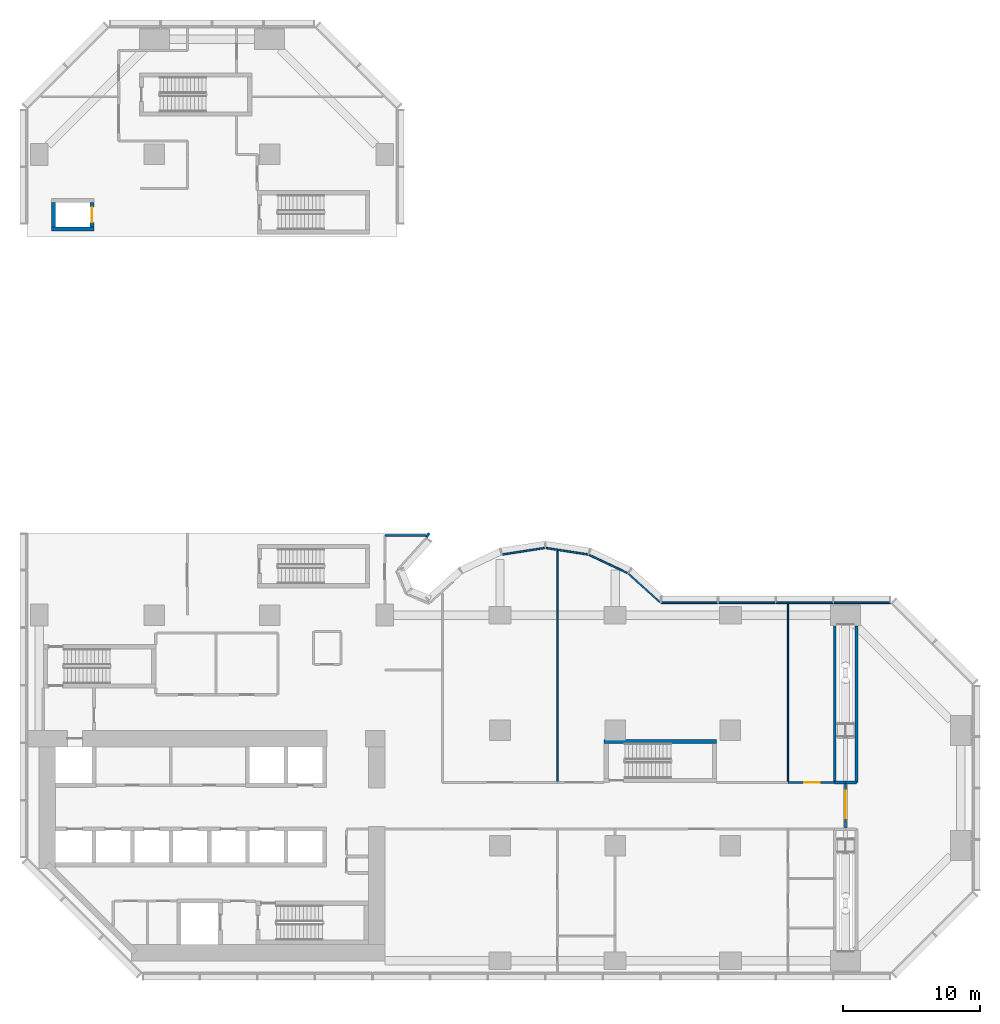
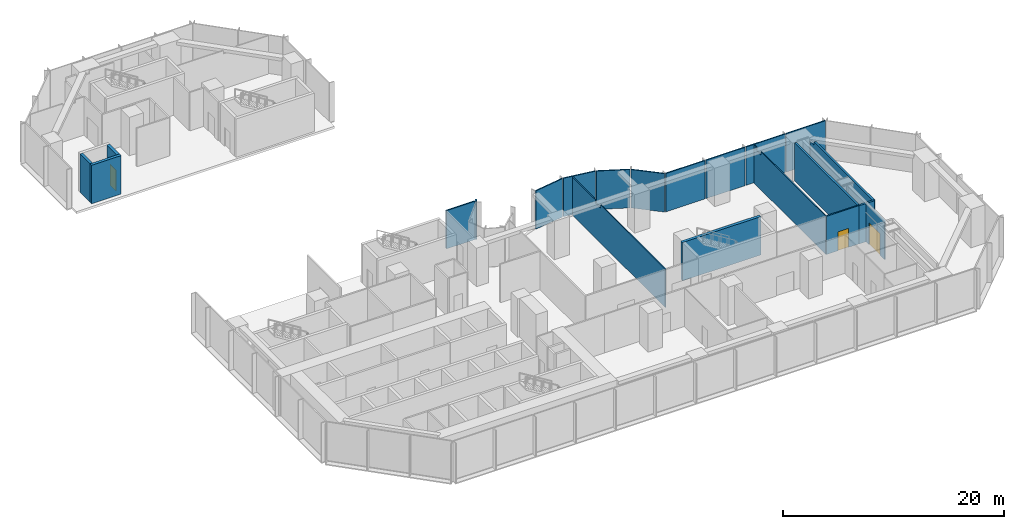
# One storey, part 12 of 18: 22 walls, 3 doors, 3 openings.
"""IFC4 building model written with IfcOpenShell, lengths in metres."""

import ifcopenshell
import ifcopenshell.guid

model = None  # the IFC model being written
_history = None  # IfcOwnerHistory: only IFC2X3 demands one
_inside = {}  # id of a spatial element -> (the spatial element, [elements in it])
_under = {}  # id of a project, library or spatial element -> (it, [spatial elements below it])
_declared = {}  # id of a project -> (the project, [libraries it declares])
_typed = {}  # id of a type object -> (the type object, [elements of that type])
_made_of = {}  # id of a material, layer set ... -> (it, [elements and type objects made of it])


def new_model(schema):
    """Start an empty IFC model of exactly this schema.

    Asked for "IFC4X3", IfcOpenShell would pick the latest addendum, in which some entities
    have other attributes; the version numbers below select the first issue.
    IFC2X3 requires an IfcOwnerHistory on every rooted entity: one is made here for all.
    """
    global model, _history
    if schema == "IFC4X3":
        model = ifcopenshell.file(schema_version=(4, 3, 0, 0))
    else:
        model = ifcopenshell.file(schema=schema)
    _inside.clear()
    _under.clear()
    _declared.clear()
    _typed.clear()
    _made_of.clear()
    _history = None
    if model.schema == "IFC2X3":
        org = make("IfcOrganization", Name="unknown")
        user = make(
            "IfcPersonAndOrganization",
            ThePerson=make("IfcPerson", FamilyName="unknown"),
            TheOrganization=org,
        )
        app = make(
            "IfcApplication",
            ApplicationDeveloper=org,
            Version="unknown",
            ApplicationFullName="unknown",
            ApplicationIdentifier="unknown",
        )
        _history = make(
            "IfcOwnerHistory",
            OwningUser=user,
            OwningApplication=app,
            ChangeAction="ADDED",
            CreationDate=0,
        )
    return model


def make(cls, **values):
    """One entity of the class cls with the attributes given. An attribute that is None is left unset."""
    return model.create_entity(
        cls, **{name: value for name, value in values.items() if value is not None}
    )


def rooted(cls, **values):
    """An entity with a GlobalId (a new one), such as an element, a storey or a relation."""
    return make(cls, GlobalId=ifcopenshell.guid.new(), OwnerHistory=_history, **values)


def si_unit(unit_type, name, prefix=None):
    """IfcSIUnit, for example si_unit("LENGTHUNIT", "METRE", prefix="MILLI")."""
    return make("IfcSIUnit", UnitType=unit_type, Prefix=prefix, Name=name)


def assignment(units):
    """IfcUnitAssignment: the units of a project."""
    return None if units is None else make("IfcUnitAssignment", Units=units)


def point(xyz):
    """IfcCartesianPoint."""
    return None if xyz is None else make("IfcCartesianPoint", Coordinates=xyz)


def direction(xyz):
    """IfcDirection."""
    return None if xyz is None else make("IfcDirection", DirectionRatios=xyz)


def frame(location, z_axis=None, x_axis=None):
    """IfcAxis2Placement3D, a coordinate frame: its origin and axes. An axis left out is left unset."""
    return make(
        "IfcAxis2Placement3D",
        Location=point(location),
        Axis=direction(z_axis),
        RefDirection=direction(x_axis),
    )


def frame_2d(location, x_axis=None):
    """IfcAxis2Placement2D, a coordinate frame in the plane: its origin and x axis."""
    return make(
        "IfcAxis2Placement2D", Location=point(location), RefDirection=direction(x_axis)
    )


def origin():
    """The frame at (0, 0, 0) with its axes left unset."""
    return frame((0.0, 0.0, 0.0))


def place(relative_to, where):
    """IfcLocalPlacement: puts the frame where relative to a parent placement (None: the world)."""
    return make(
        "IfcLocalPlacement", PlacementRelTo=relative_to, RelativePlacement=where
    )


def context(
    kind, dimensions, precision=None, world=None, true_north=None, identifier=None
):
    """IfcGeometricRepresentationContext, for example the 3D "Model" context."""
    return make(
        "IfcGeometricRepresentationContext",
        ContextIdentifier=identifier,
        ContextType=kind,
        CoordinateSpaceDimension=dimensions,
        Precision=precision,
        WorldCoordinateSystem=world,
        TrueNorth=true_north,
    )


def subcontext(parent, identifier, kind, view, scale=None):
    """IfcGeometricRepresentationSubContext, for example "Body" below "Model"."""
    return make(
        "IfcGeometricRepresentationSubContext",
        ContextIdentifier=identifier,
        ContextType=kind,
        ParentContext=parent,
        TargetScale=scale,
        TargetView=view,
    )


def project(units=None, contexts=None):
    """IfcProject with its units and contexts."""
    return rooted(
        "IfcProject",
        Name="project",
        RepresentationContexts=contexts,
        UnitsInContext=assignment(units),
    )


def spatial(cls, under=None, at=None, **own):
    """A site, building, storey or space (cls), placed at a placement, below another one or the project."""
    s = rooted(cls, ObjectPlacement=at, **own)
    if under is not None:
        _under.setdefault(under.id(), (under, []))[1].append(s)
    return s


def polyline(points):
    """IfcPolyline through the points."""
    return make("IfcPolyline", Points=[point(p) for p in points])


def profile(cls, at=None, kind="AREA", **sizes):
    """A parametric profile (cls). Its sizes go by their IFC names, for example OverallWidth=200.0."""
    return make(cls, ProfileType=kind, Position=at, **sizes)


def rectangle(**sizes):
    """IfcRectangleProfileDef."""
    return profile("IfcRectangleProfileDef", **sizes)


def outline(outer, holes=None, kind="AREA"):
    """IfcArbitraryClosedProfileDef: a profile drawn as a closed curve; with holes, ...WithVoids."""
    if holes is None:
        return make("IfcArbitraryClosedProfileDef", ProfileType=kind, OuterCurve=outer)
    return make(
        "IfcArbitraryProfileDefWithVoids",
        ProfileType=kind,
        OuterCurve=outer,
        InnerCurves=holes,
    )


def extrude(swept, where, along, depth):
    """IfcExtrudedAreaSolid: the profile swept, set in the frame where, extruded along a direction by depth."""
    return make(
        "IfcExtrudedAreaSolid",
        SweptArea=swept,
        Position=where,
        ExtrudedDirection=direction(along),
        Depth=depth,
    )


def shape(context_of_items, identifier, shape_type, items):
    """IfcShapeRepresentation: the items that make up one representation, for example the "Body"."""
    return make(
        "IfcShapeRepresentation",
        ContextOfItems=context_of_items,
        RepresentationIdentifier=identifier,
        RepresentationType=shape_type,
        Items=items,
    )


def material(Name=None, Category=None):
    """IfcMaterial."""
    return make("IfcMaterial", Name=Name, Category=Category)


def layer(
    of_material, thickness, ventilated=None, Name=None, Category=None, Priority=None
):
    """IfcMaterialLayer: one layer of a wall or slab, of a material (None: an air gap)."""
    return make(
        "IfcMaterialLayer",
        Material=of_material,
        LayerThickness=thickness,
        IsVentilated=ventilated,
        Name=Name,
        Category=Category,
        Priority=Priority,
    )


def layer_set(layers, Name=None):
    """IfcMaterialLayerSet."""
    return make("IfcMaterialLayerSet", MaterialLayers=layers, LayerSetName=Name)


def made_of(thing, what):
    """Note that an element or type object is made of a material, layer set ...; save() writes the relation."""
    if what is not None:
        _made_of.setdefault(what.id(), (what, []))[1].append(thing)
    return thing


def type_object(cls, material=None, **own):
    """A type object (cls), such as IfcWallType, which elements share."""
    return made_of(rooted(cls, **own), material)


def element(
    cls,
    number,
    at=None,
    inside=None,
    cuts=None,
    type_object=None,
    material=None,
    context=None,
    identifier="Body",
    shape_type=None,
    held_by="IfcProductDefinitionShape",
    body=None,
    shapes=None,
    **own,
):
    """One element of the class cls, such as IfcWall. Its Tag is "e" and its number.

    at: its placement. inside: the storey or other place that contains it. cuts: it is an
    opening in that element (IfcRelVoidsElement). A single representation is given by context,
    identifier, shape_type and body (its items); several are given by shapes. held_by: the class
    of the entity that holds the representations. save() writes the other relations.
    """
    e = rooted(cls, Tag="e%d" % number, ObjectPlacement=at, **own)
    if body is not None:
        shapes = [shape(context, identifier, shape_type, body)]
    if shapes is not None:
        e.Representation = make(held_by, Representations=shapes)
    if inside is not None:
        _inside.setdefault(inside.id(), (inside, []))[1].append(e)
    if cuts is not None:
        rooted(
            "IfcRelVoidsElement", RelatingBuildingElement=cuts, RelatedOpeningElement=e
        )
    if type_object is not None:
        _typed.setdefault(type_object.id(), (type_object, []))[1].append(e)
    return made_of(e, material)


def fill(opening, filler):
    """IfcRelFillsElement: the door or window that sits in an opening."""
    return rooted(
        "IfcRelFillsElement",
        RelatingOpeningElement=opening,
        RelatedBuildingElement=filler,
    )


def aggregate(whole, parts):
    """IfcRelAggregates: a whole, such as a stair, and the parts it consists of."""
    return rooted("IfcRelAggregates", RelatingObject=whole, RelatedObjects=parts)


def save(model, path):
    """Write the relations noted so far, then the file.

    IfcRelAggregates (storeys below a building ...), IfcRelContainedInSpatialStructure (elements
    in a storey), IfcRelDefinesByType, IfcRelAssociatesMaterial and IfcRelDeclares: one each for
    every whole, place, type object, material and project.
    """
    for whole, parts in _under.values():
        aggregate(whole, parts)
    for where, things in _inside.values():
        rooted(
            "IfcRelContainedInSpatialStructure",
            RelatedElements=things,
            RelatingStructure=where,
        )
    for kind, things in _typed.values():
        rooted("IfcRelDefinesByType", RelatedObjects=things, RelatingType=kind)
    for what, things in _made_of.values():
        rooted("IfcRelAssociatesMaterial", RelatedObjects=things, RelatingMaterial=what)
    for by, libraries in _declared.values():
        rooted("IfcRelDeclares", RelatingContext=by, RelatedDefinitions=libraries)
    model.write(path)


model = new_model("IFC4")

# Units and contexts
model_context = context("Model", 3, precision=1e-05, world=origin(), true_north=direction((0.0, 1.0)))
body_context = subcontext(model_context, "Body", "Model", "MODEL_VIEW")
ifc_project = project(units=[si_unit("LENGTHUNIT", "METRE"), si_unit("AREAUNIT", "SQUARE_METRE"), si_unit("VOLUMEUNIT", "CUBIC_METRE"), si_unit("PLANEANGLEUNIT", "RADIAN"), si_unit("MASSUNIT", "GRAM", prefix="KILO")], contexts=[model_context])

# Site, building, storey
site_placement = place(None, origin())
site = spatial("IfcSite", under=ifc_project, at=site_placement, CompositionType="ELEMENT")
building_placement = place(site_placement, origin())
building = spatial("IfcBuilding", under=site, at=building_placement, Name="Brevane Broadcast Tower", CompositionType="ELEMENT")
storey_placement = place(building_placement, frame((0.0, 0.0, 27.5)))
storey = spatial("IfcBuildingStorey", under=building, at=storey_placement, Name="L04", CompositionType="ELEMENT", Elevation=27.5)

# Walls
ifc_material_1 = material(Name="Concrete C80/95", Category="concrete")
ifc_layer_1 = layer(ifc_material_1, 0.300048828125)
ifc_layer_set_1 = layer_set([ifc_layer_1], Name="Core wall 300 mm C80/95")
wall_type_1 = type_object("IfcWallType", Name="Core wall 300 mm C80/95", PredefinedType="SHEAR", material=ifc_layer_set_1)
wall_1_placement = place(storey_placement, frame((0.89990234375, 53.35009765625, 0.0), z_axis=(0.0, 0.0, 1.0), x_axis=(1.0, 0.0, 0.0)))
element("IfcWall", 1, at=wall_1_placement, inside=storey, type_object=wall_type_1, Name="L04 shaft wall PL1-S", PredefinedType="SHEAR", context=body_context, shape_type="SweptSolid", body=[
    extrude(rectangle(XDim=3.10009765625, YDim=0.300048828125, at=frame_2d((1.550048828125, 0.0))), origin(), (0.0, 0.0, 1.0), 4.25),
])
wall_2_placement = place(storey_placement, frame((1.050048828125, 53.5, 0.0), z_axis=(0.0, 0.0, 1.0), x_axis=(0.0, 1.0, 0.0)))
element("IfcWall", 2, at=wall_2_placement, inside=storey, type_object=wall_type_1, Name="L04 shaft wall PL1-W", PredefinedType="SHEAR", context=body_context, shape_type="SweptSolid", body=[
    extrude(rectangle(XDim=1.800048828125, YDim=0.300048828125, at=frame_2d((0.89990234375, 0.0))), origin(), (0.0, 0.0, 1.0), 4.25),
])

# Wall, opening, door
wall_3_placement = place(storey_placement, frame((3.85009765625, 53.5, 0.0), z_axis=(0.0, 0.0, 1.0), x_axis=(0.0, 1.0, 0.0)))
wall_3 = element("IfcWall", 3, at=wall_3_placement, inside=storey, type_object=wall_type_1, Name="L04 shaft wall PL1-E", PredefinedType="SHEAR", context=body_context, shape_type="SweptSolid", body=[
    extrude(rectangle(XDim=1.800048828125, YDim=0.300048828125, at=frame_2d((0.89990234375, 0.0))), origin(), (0.0, 0.0, 1.0), 4.25),
])
opening_1_placement = place(wall_3_placement, frame((0.35009765625, 0.0, 0.0)))
opening_1 = element("IfcOpeningElement", 4, at=opening_1_placement, cuts=wall_3, Name="Opening LD", PredefinedType="OPENING", context=body_context, shape_type="SweptSolid", body=[
    extrude(rectangle(XDim=1.10009765625, YDim=2.300048828125, at=frame_2d((0.550048828125, 1.14990234375))), frame((0.0, 0.159912109375, 0.0), z_axis=(0.0, -1.0, 0.0), x_axis=(1.0, 0.0, 0.0)), (0.0, 0.0, 1.0), 0.320068359375),
])
ifc_material_2 = material(Name="Stainless steel", Category="steel")
door_type_1 = type_object("IfcDoorType", Name="Lift landing door", OperationType="SLIDING_TO_LEFT", PredefinedType="DOOR", material=ifc_material_2)
door_1_placement = place(opening_1_placement, origin())
door_1 = element("IfcDoor", 5, at=door_1_placement, inside=storey, type_object=door_type_1, Name="Landing door PL1 L04", OperationType="SLIDING_TO_LEFT", OverallHeight=2.300048828125, OverallWidth=1.10009765625, PredefinedType="DOOR", context=body_context, shape_type="SweptSolid", body=[
    extrude(rectangle(XDim=1.10009765625, YDim=2.300048828125, at=frame_2d((0.550048828125, 1.14990234375))), frame((0.0, 0.02490234375, 0.0), z_axis=(0.0, -1.0, 0.0), x_axis=(1.0, 0.0, 0.0)), (0.0, 0.0, 1.0), 0.050048828125),
])
fill(opening_1, door_1)

# Walls
wall_4_placement = place(storey_placement, frame((41.199951171875, 16.0, 0.0), z_axis=(0.0, 0.0, 1.0), x_axis=(1.0, 0.0, 0.0)))
element("IfcWall", 6, at=wall_4_placement, inside=storey, type_object=wall_type_1, Name="L04 stair wall ST-4-N", PredefinedType="SHEAR", context=body_context, shape_type="SweptSolid", body=[
    extrude(rectangle(XDim=8.199951171875, YDim=0.300048828125, at=frame_2d((4.10009765625, 0.0))), origin(), (0.0, 0.0, 1.0), 4.25),
])
ifc_material_3 = material(Name="Gypsum board partition")
ifc_layer_2 = layer(ifc_material_3, 0.10009765625)
ifc_layer_set_2 = layer_set([ifc_layer_2], Name="PARTITION 100 STUD")
wall_type_2 = type_object("IfcWallType", Name="PARTITION 100 STUD", PredefinedType="PARTITIONING", material=ifc_layer_set_2)
wall_5_placement = place(storey_placement, frame((37.800048828125, 29.85693359375, 0.0), z_axis=(0.0, 0.0, 1.0), x_axis=(0.0, -1.0, 0.0)))
element("IfcWall", 7, at=wall_5_placement, inside=storey, type_object=wall_type_2, Name="Partition P4-038", PredefinedType="PARTITIONING", context=body_context, shape_type="SweptSolid", body=[
    extrude(outline(polyline([(0.0, 0.0), (16.85693359375, 0.0), (16.85693359375, 4.22998046875), (5.10693359375, 4.22998046875), (5.10498046875, 3.8798828125), (4.208984375, 3.8798828125), (4.20703125, 4.22998046875), (0.0, 4.22998046875), (0.0, 0.0)])), frame((0.0, 0.050048828125, 0.0), z_axis=(0.0, -1.0, 0.0), x_axis=(1.0, 0.0, 0.0)), (0.0, 0.0, 1.0), 0.10009765625),
])
wall_6_placement = place(storey_placement, frame((54.60009765625, 25.998046875, 0.0), z_axis=(0.0, 0.0, 1.0), x_axis=(0.0, -1.0, 0.0)))
element("IfcWall", 8, at=wall_6_placement, inside=storey, type_object=wall_type_2, Name="Partition P4-039", PredefinedType="PARTITIONING", context=body_context, shape_type="SweptSolid", body=[
    extrude(outline(polyline([(0.0, 0.0), (12.998046875, 0.0), (12.998046875, 4.22998046875), (1.248046875, 4.22998046875), (1.24609375, 3.8798828125), (0.35009765625, 3.8798828125), (0.347900390625, 4.22998046875), (0.0, 4.22998046875), (0.0, 0.0)])), frame((0.0, 0.050048828125, 0.0), z_axis=(0.0, -1.0, 0.0), x_axis=(1.0, 0.0, 0.0)), (0.0, 0.0, 1.0), 0.10009765625),
])
ifc_layer_3 = layer(ifc_material_3, 0.14990234375)
ifc_layer_set_3 = layer_set([ifc_layer_3], Name="PARTITION 150 EI 60")
wall_type_3 = type_object("IfcWallType", Name="PARTITION 150 EI 60", PredefinedType="PARTITIONING", material=ifc_layer_set_3)
wall_7_placement = place(storey_placement, frame((25.199951171875, 31.0, 0.0), z_axis=(0.0, 0.0, 1.0), x_axis=(1.0, 0.0, 0.0)))
element("IfcWall", 9, at=wall_7_placement, inside=storey, type_object=wall_type_3, Name="Partition P4-016", PredefinedType="PARTITIONING", context=body_context, shape_type="SweptSolid", body=[
    extrude(rectangle(XDim=2.994140625, YDim=0.14990234375, at=frame_2d((1.4970703125, 0.0))), origin(), (0.0, 0.0, 1.0), 4.22998046875),
])
wall_8_placement = place(storey_placement, frame((28.432373046875, 31.168212890625, 0.0), z_axis=(0.0, 0.0, 1.0), x_axis=(-0.541288698077, -0.840836812547, 0.0)))
element("IfcWall", 10, at=wall_8_placement, inside=storey, type_object=wall_type_3, Name="Partition P4-017", PredefinedType="PARTITIONING", context=body_context, shape_type="SweptSolid", body=[
    extrude(rectangle(XDim=0.3251953125, YDim=0.14990234375, at=frame_2d((0.16259765625, 0.0))), origin(), (0.0, 0.0, 1.0), 4.22998046875),
])

# Wall, opening, door
wall_9_placement = place(storey_placement, frame((58.800048828125, 13.0, 0.0), z_axis=(0.0, 0.0, 1.0), x_axis=(0.0, -1.0, 0.0)))
wall_9 = element("IfcWall", 11, at=wall_9_placement, inside=storey, type_object=wall_type_3, Name="Partition P4-018", PredefinedType="PARTITIONING", context=body_context, shape_type="SweptSolid", body=[
    extrude(rectangle(XDim=3.39990234375, YDim=0.14990234375, at=frame_2d((1.699951171875, 0.0))), origin(), (0.0, 0.0, 1.0), 4.22998046875),
])
opening_2_placement = place(wall_9_placement, frame((0.60009765625, 0.0, 0.0)))
opening_2 = element("IfcOpeningElement", 12, at=opening_2_placement, cuts=wall_9, Name="Opening D05-002", PredefinedType="OPENING", context=body_context, shape_type="SweptSolid", body=[
    extrude(rectangle(XDim=2.0, YDim=2.39990234375, at=frame_2d((1.0, 1.199951171875))), frame((0.0, 0.0849609375, 0.0), z_axis=(0.0, -1.0, 0.0), x_axis=(1.0, 0.0, 0.0)), (0.0, 0.0, 1.0), 0.169921875),
])
ifc_material_4 = material(Name="Fire-rated timber door leaf", Category="wood")
door_type_2 = type_object("IfcDoorType", Name="DOOR DOUBLE 2000 FD30S", OperationType="DOUBLE_DOOR_SINGLE_SWING", PredefinedType="DOOR", material=ifc_material_4)
door_2_placement = place(opening_2_placement, origin())
door_2 = element("IfcDoor", 13, at=door_2_placement, inside=storey, type_object=door_type_2, Name="Door D05-002", OperationType="DOUBLE_DOOR_SINGLE_SWING", OverallHeight=2.39990234375, OverallWidth=2.0, PredefinedType="DOOR", context=body_context, shape_type="SweptSolid", body=[
    extrude(rectangle(XDim=2.0, YDim=2.39990234375, at=frame_2d((1.0, 1.199951171875))), frame((0.0, 0.02490234375, 0.0), z_axis=(0.0, -1.0, 0.0), x_axis=(1.0, 0.0, 0.0)), (0.0, 0.0, 1.0), 0.050048828125),
])
fill(opening_2, door_2)

wall_10_placement = place(storey_placement, frame((54.60009765625, 13.0, 0.0), z_axis=(0.0, 0.0, 1.0), x_axis=(1.0, 0.0, 0.0)))
wall_10 = element("IfcWall", 14, at=wall_10_placement, inside=storey, type_object=wall_type_3, Name="Partition P4-026", PredefinedType="PARTITIONING", context=body_context, shape_type="SweptSolid", body=[
    extrude(rectangle(XDim=3.39990234375, YDim=0.14990234375, at=frame_2d((1.699951171875, 0.0))), origin(), (0.0, 0.0, 1.0), 4.22998046875),
])
opening_3_placement = place(wall_10_placement, frame((1.199951171875, 0.0, 0.0)))
opening_3 = element("IfcOpeningElement", 15, at=opening_3_placement, cuts=wall_10, Name="Opening D05-012", PredefinedType="OPENING", context=body_context, shape_type="SweptSolid", body=[
    extrude(rectangle(XDim=1.10009765625, YDim=2.10009765625, at=frame_2d((0.550048828125, 1.050048828125))), frame((0.0, 0.0849609375, 0.0), z_axis=(0.0, -1.0, 0.0), x_axis=(1.0, 0.0, 0.0)), (0.0, 0.0, 1.0), 0.169921875),
])
door_type_3 = type_object("IfcDoorType", Name="DOOR SINGLE 1100 FD30S", OperationType="SINGLE_SWING_LEFT", PredefinedType="DOOR", material=ifc_material_4)
door_3_placement = place(opening_3_placement, origin())
door_3 = element("IfcDoor", 16, at=door_3_placement, inside=storey, type_object=door_type_3, Name="Door D05-012", OperationType="SINGLE_SWING_LEFT", OverallHeight=2.10009765625, OverallWidth=1.10009765625, PredefinedType="DOOR", context=body_context, shape_type="SweptSolid", body=[
    extrude(rectangle(XDim=1.10009765625, YDim=2.10009765625, at=frame_2d((0.550048828125, 1.050048828125))), frame((0.0, 0.02490234375, 0.0), z_axis=(0.0, -1.0, 0.0), x_axis=(1.0, 0.0, 0.0)), (0.0, 0.0, 1.0), 0.050048828125),
])
fill(opening_3, door_3)

# Walls
ifc_layer_4 = layer(ifc_material_3, 0.199951171875)
ifc_layer_set_4 = layer_set([ifc_layer_4], Name="PARTITION 200 EI 120")
wall_type_4 = type_object("IfcWallType", Name="PARTITION 200 EI 120", PredefinedType="PARTITIONING", material=ifc_layer_set_4)
wall_11_placement = place(storey_placement, frame((58.800048828125, 13.0, 0.0), z_axis=(0.0, 0.0, 1.0), x_axis=(-1.0, 0.0, 0.0)))
element("IfcWall", 17, at=wall_11_placement, inside=storey, type_object=wall_type_4, Name="Partition P4-007", PredefinedType="PARTITIONING", context=body_context, shape_type="SweptSolid", body=[
    extrude(rectangle(XDim=0.800048828125, YDim=0.199951171875, at=frame_2d((0.39990234375, 0.0))), origin(), (0.0, 0.0, 1.0), 4.22998046875),
])
wall_12_placement = place(storey_placement, frame((59.60009765625, 24.429931640625, 0.0), z_axis=(0.0, 0.0, 1.0), x_axis=(0.0, -1.0, 0.0)))
element("IfcWall", 18, at=wall_12_placement, inside=storey, type_object=wall_type_4, Name="Partition P4-008", PredefinedType="PARTITIONING", context=body_context, shape_type="SweptSolid", body=[
    extrude(outline(polyline([(0.0, 0.0), (11.429931640625, 0.0), (11.429931640625, 4.22998046875), (0.74560546875, 4.22998046875), (0.74365234375, 3.8798828125), (0.0, 3.8798828125), (0.0, 0.0)])), frame((0.0, 0.10009765625, 0.0), z_axis=(0.0, -1.0, 0.0), x_axis=(1.0, 0.0, 0.0)), (0.0, 0.0, 1.0), 0.199951171875),
])
wall_13_placement = place(storey_placement, frame((59.60009765625, 13.0, 0.0), z_axis=(0.0, 0.0, 1.0), x_axis=(-1.0, 0.0, 0.0)))
element("IfcWall", 19, at=wall_13_placement, inside=storey, type_object=wall_type_4, Name="Partition P4-009", PredefinedType="PARTITIONING", context=body_context, shape_type="SweptSolid", body=[
    extrude(rectangle(XDim=0.800048828125, YDim=0.199951171875, at=frame_2d((0.39990234375, 0.0))), origin(), (0.0, 0.0, 1.0), 4.22998046875),
])
wall_14_placement = place(storey_placement, frame((58.0, 13.0, 0.0), z_axis=(0.0, 0.0, 1.0), x_axis=(0.0, 1.0, 0.0)))
element("IfcWall", 20, at=wall_14_placement, inside=storey, type_object=wall_type_4, Name="Partition P4-010", PredefinedType="PARTITIONING", context=body_context, shape_type="SweptSolid", body=[
    extrude(rectangle(XDim=11.429931640625, YDim=0.199951171875, at=frame_2d((5.71484375, 0.0))), origin(), (0.0, 0.0, 1.0), 4.22998046875),
])
ifc_material_5 = material(Name="Precast concrete C40/50", Category="concrete")
ifc_layer_5 = layer(ifc_material_5, 0.1201171875)
ifc_layer_set_5 = layer_set([ifc_layer_5], Name="Podium precast cladding wall 120 C40/50")
wall_type_5 = type_object("IfcWallType", Name="Podium precast cladding wall 120 C40/50", PredefinedType="SOLIDWALL", material=ifc_layer_set_5)
wall_15_placement = place(storey_placement, origin())
element("IfcWall", 21, at=wall_15_placement, inside=storey, type_object=wall_type_5, Name="Podium precast cladding wall", PredefinedType="SOLIDWALL", context=body_context, shape_type="SweptSolid", body=[
    extrude(outline(polyline([(57.945068359375, 26.169921875), (57.945068359375, 26.050048828125), (62.054931640625, 26.050048828125), (62.054931640625, 26.169921875), (57.945068359375, 26.169921875)])), origin(), (0.0, 0.0, 1.0), 4.25),
])
wall_16_placement = place(storey_placement, origin())
element("IfcWall", 22, at=wall_16_placement, inside=storey, type_object=wall_type_5, Name="Podium precast cladding wall", PredefinedType="SOLIDWALL", context=body_context, shape_type="SweptSolid", body=[
    extrude(outline(polyline([(53.7451171875, 26.169921875), (53.7451171875, 26.050048828125), (57.85498046875, 26.050048828125), (57.85498046875, 26.169921875), (53.7451171875, 26.169921875)])), origin(), (0.0, 0.0, 1.0), 4.25),
])
wall_17_placement = place(storey_placement, origin())
element("IfcWall", 23, at=wall_17_placement, inside=storey, type_object=wall_type_5, Name="Podium precast cladding wall", PredefinedType="SOLIDWALL", context=body_context, shape_type="SweptSolid", body=[
    extrude(outline(polyline([(49.544921875, 26.169921875), (49.544921875, 26.050048828125), (53.655029296875, 26.050048828125), (53.655029296875, 26.169921875), (49.544921875, 26.169921875)])), origin(), (0.0, 0.0, 1.0), 4.25),
])
wall_18_placement = place(storey_placement, origin())
element("IfcWall", 24, at=wall_18_placement, inside=storey, type_object=wall_type_5, Name="Podium precast cladding wall", PredefinedType="SOLIDWALL", context=body_context, shape_type="SweptSolid", body=[
    extrude(outline(polyline([(45.344970703125, 26.169921875), (45.344970703125, 26.050048828125), (49.455078125, 26.050048828125), (49.455078125, 26.169921875), (45.344970703125, 26.169921875)])), origin(), (0.0, 0.0, 1.0), 4.25),
])
wall_19_placement = place(storey_placement, origin())
element("IfcWall", 25, at=wall_19_placement, inside=storey, type_object=wall_type_5, Name="Podium precast cladding wall", PredefinedType="SOLIDWALL", context=body_context, shape_type="SweptSolid", body=[
    extrude(outline(polyline([(45.233154296875, 26.093017578125), (45.3134765625, 26.18212890625), (43.00537109375, 28.267333984375), (42.93798828125, 28.16650390625), (45.233154296875, 26.093017578125)])), origin(), (0.0, 0.0, 1.0), 4.25),
])
wall_20_placement = place(storey_placement, origin())
element("IfcWall", 26, at=wall_20_placement, inside=storey, type_object=wall_type_5, Name="Podium precast cladding wall", PredefinedType="SOLIDWALL", context=body_context, shape_type="SweptSolid", body=[
    extrude(outline(polyline([(42.863037109375, 28.216796875), (42.930419921875, 28.3173828125), (40.114990234375, 29.658203125), (40.079345703125, 29.542236328125), (42.863037109375, 28.216796875)])), origin(), (0.0, 0.0, 1.0), 4.25),
])
wall_21_placement = place(storey_placement, origin())
element("IfcWall", 27, at=wall_21_placement, inside=storey, type_object=wall_type_5, Name="Podium precast cladding wall", PredefinedType="SOLIDWALL", context=body_context, shape_type="SweptSolid", body=[
    extrude(outline(polyline([(39.993408203125, 29.56884765625), (40.029052734375, 29.684814453125), (36.945068359375, 30.163818359375), (36.945068359375, 30.04248046875), (39.993408203125, 29.56884765625)])), origin(), (0.0, 0.0, 1.0), 4.25),
])
wall_22_placement = place(storey_placement, origin())
element("IfcWall", 28, at=wall_22_placement, inside=storey, type_object=wall_type_5, Name="Podium precast cladding wall", PredefinedType="SOLIDWALL", context=body_context, shape_type="SweptSolid", body=[
    extrude(outline(polyline([(36.85498046875, 30.04248046875), (36.85498046875, 30.163818359375), (33.77099609375, 29.684814453125), (33.806640625, 29.56884765625), (36.85498046875, 30.04248046875)])), origin(), (0.0, 0.0, 1.0), 4.25),
])

save(model, "model.ifc")
